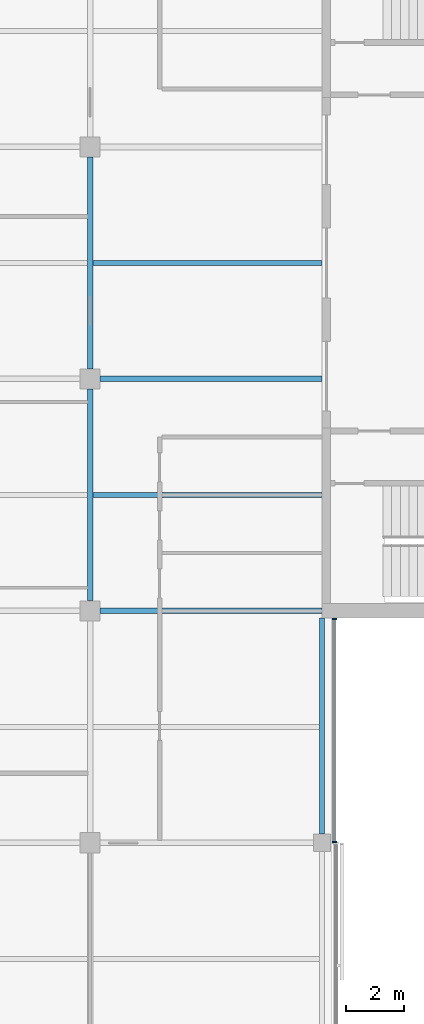
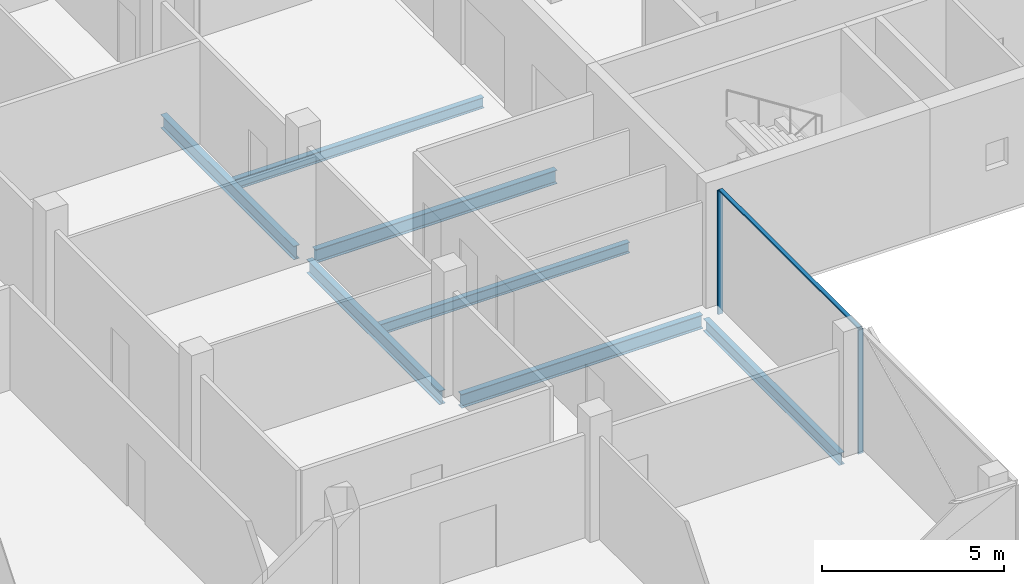
# One storey, part 4 of 15: 7 beams, 3 members, 1 element without a shape of its own.
"""IFC4 building model written with IfcOpenShell, lengths in metres."""

import ifcopenshell
import ifcopenshell.guid

model = None  # the IFC model being written
_history = None  # IfcOwnerHistory: only IFC2X3 demands one
_inside = {}  # id of a spatial element -> (the spatial element, [elements in it])
_under = {}  # id of a project, library or spatial element -> (it, [spatial elements below it])
_declared = {}  # id of a project -> (the project, [libraries it declares])
_typed = {}  # id of a type object -> (the type object, [elements of that type])
_made_of = {}  # id of a material, layer set ... -> (it, [elements and type objects made of it])


def new_model(schema):
    """Start an empty IFC model of exactly this schema.

    Asked for "IFC4X3", IfcOpenShell would pick the latest addendum, in which some entities
    have other attributes; the version numbers below select the first issue.
    IFC2X3 requires an IfcOwnerHistory on every rooted entity: one is made here for all.
    """
    global model, _history
    if schema == "IFC4X3":
        model = ifcopenshell.file(schema_version=(4, 3, 0, 0))
    else:
        model = ifcopenshell.file(schema=schema)
    _inside.clear()
    _under.clear()
    _declared.clear()
    _typed.clear()
    _made_of.clear()
    _history = None
    if model.schema == "IFC2X3":
        org = make("IfcOrganization", Name="unknown")
        user = make(
            "IfcPersonAndOrganization",
            ThePerson=make("IfcPerson", FamilyName="unknown"),
            TheOrganization=org,
        )
        app = make(
            "IfcApplication",
            ApplicationDeveloper=org,
            Version="unknown",
            ApplicationFullName="unknown",
            ApplicationIdentifier="unknown",
        )
        _history = make(
            "IfcOwnerHistory",
            OwningUser=user,
            OwningApplication=app,
            ChangeAction="ADDED",
            CreationDate=0,
        )
    return model


def make(cls, **values):
    """One entity of the class cls with the attributes given. An attribute that is None is left unset."""
    return model.create_entity(
        cls, **{name: value for name, value in values.items() if value is not None}
    )


def rooted(cls, **values):
    """An entity with a GlobalId (a new one), such as an element, a storey or a relation."""
    return make(cls, GlobalId=ifcopenshell.guid.new(), OwnerHistory=_history, **values)


def si_unit(unit_type, name, prefix=None):
    """IfcSIUnit, for example si_unit("LENGTHUNIT", "METRE", prefix="MILLI")."""
    return make("IfcSIUnit", UnitType=unit_type, Prefix=prefix, Name=name)


def assignment(units):
    """IfcUnitAssignment: the units of a project."""
    return None if units is None else make("IfcUnitAssignment", Units=units)


def point(xyz):
    """IfcCartesianPoint."""
    return None if xyz is None else make("IfcCartesianPoint", Coordinates=xyz)


def direction(xyz):
    """IfcDirection."""
    return None if xyz is None else make("IfcDirection", DirectionRatios=xyz)


def frame(location, z_axis=None, x_axis=None):
    """IfcAxis2Placement3D, a coordinate frame: its origin and axes. An axis left out is left unset."""
    return make(
        "IfcAxis2Placement3D",
        Location=point(location),
        Axis=direction(z_axis),
        RefDirection=direction(x_axis),
    )


def frame_2d(location, x_axis=None):
    """IfcAxis2Placement2D, a coordinate frame in the plane: its origin and x axis."""
    return make(
        "IfcAxis2Placement2D", Location=point(location), RefDirection=direction(x_axis)
    )


def origin():
    """The frame at (0, 0, 0) with its axes left unset."""
    return frame((0.0, 0.0, 0.0))


def origin_2d():
    """The frame at (0, 0) in the plane with its x axis left unset."""
    return frame_2d((0.0, 0.0))


def place(relative_to, where):
    """IfcLocalPlacement: puts the frame where relative to a parent placement (None: the world)."""
    return make(
        "IfcLocalPlacement", PlacementRelTo=relative_to, RelativePlacement=where
    )


def context(
    kind, dimensions, precision=None, world=None, true_north=None, identifier=None
):
    """IfcGeometricRepresentationContext, for example the 3D "Model" context."""
    return make(
        "IfcGeometricRepresentationContext",
        ContextIdentifier=identifier,
        ContextType=kind,
        CoordinateSpaceDimension=dimensions,
        Precision=precision,
        WorldCoordinateSystem=world,
        TrueNorth=true_north,
    )


def subcontext(parent, identifier, kind, view, scale=None):
    """IfcGeometricRepresentationSubContext, for example "Body" below "Model"."""
    return make(
        "IfcGeometricRepresentationSubContext",
        ContextIdentifier=identifier,
        ContextType=kind,
        ParentContext=parent,
        TargetScale=scale,
        TargetView=view,
    )


def project(units=None, contexts=None):
    """IfcProject with its units and contexts."""
    return rooted(
        "IfcProject",
        Name="project",
        RepresentationContexts=contexts,
        UnitsInContext=assignment(units),
    )


def spatial(cls, under=None, at=None, **own):
    """A site, building, storey or space (cls), placed at a placement, below another one or the project."""
    s = rooted(cls, ObjectPlacement=at, **own)
    if under is not None:
        _under.setdefault(under.id(), (under, []))[1].append(s)
    return s


def profile(cls, at=None, kind="AREA", **sizes):
    """A parametric profile (cls). Its sizes go by their IFC names, for example OverallWidth=200.0."""
    return make(cls, ProfileType=kind, Position=at, **sizes)


def rectangle(**sizes):
    """IfcRectangleProfileDef."""
    return profile("IfcRectangleProfileDef", **sizes)


def i_section(**sizes):
    """IfcIShapeProfileDef."""
    return profile("IfcIShapeProfileDef", **sizes)


def extrude(swept, where, along, depth):
    """IfcExtrudedAreaSolid: the profile swept, set in the frame where, extruded along a direction by depth."""
    return make(
        "IfcExtrudedAreaSolid",
        SweptArea=swept,
        Position=where,
        ExtrudedDirection=direction(along),
        Depth=depth,
    )


def shape(context_of_items, identifier, shape_type, items):
    """IfcShapeRepresentation: the items that make up one representation, for example the "Body"."""
    return make(
        "IfcShapeRepresentation",
        ContextOfItems=context_of_items,
        RepresentationIdentifier=identifier,
        RepresentationType=shape_type,
        Items=items,
    )


def material(Name=None, Category=None):
    """IfcMaterial."""
    return make("IfcMaterial", Name=Name, Category=Category)


def material_profile(
    of_material, cross_section, Name=None, Category=None, Priority=None
):
    """IfcMaterialProfile: a cross section and its material."""
    return make(
        "IfcMaterialProfile",
        Name=Name,
        Material=of_material,
        Profile=cross_section,
        Priority=Priority,
        Category=Category,
    )


def profile_set(profiles, Name=None, composite=None):
    """IfcMaterialProfileSet."""
    return make(
        "IfcMaterialProfileSet",
        Name=Name,
        MaterialProfiles=profiles,
        CompositeProfile=composite,
    )


def made_of(thing, what):
    """Note that an element or type object is made of a material, layer set ...; save() writes the relation."""
    if what is not None:
        _made_of.setdefault(what.id(), (what, []))[1].append(thing)
    return thing


def type_object(cls, material=None, **own):
    """A type object (cls), such as IfcWallType, which elements share."""
    return made_of(rooted(cls, **own), material)


def element(
    cls,
    number,
    at=None,
    inside=None,
    cuts=None,
    type_object=None,
    material=None,
    context=None,
    identifier="Body",
    shape_type=None,
    held_by="IfcProductDefinitionShape",
    body=None,
    shapes=None,
    **own,
):
    """One element of the class cls, such as IfcWall. Its Tag is "e" and its number.

    at: its placement. inside: the storey or other place that contains it. cuts: it is an
    opening in that element (IfcRelVoidsElement). A single representation is given by context,
    identifier, shape_type and body (its items); several are given by shapes. held_by: the class
    of the entity that holds the representations. save() writes the other relations.
    """
    e = rooted(cls, Tag="e%d" % number, ObjectPlacement=at, **own)
    if body is not None:
        shapes = [shape(context, identifier, shape_type, body)]
    if shapes is not None:
        e.Representation = make(held_by, Representations=shapes)
    if inside is not None:
        _inside.setdefault(inside.id(), (inside, []))[1].append(e)
    if cuts is not None:
        rooted(
            "IfcRelVoidsElement", RelatingBuildingElement=cuts, RelatedOpeningElement=e
        )
    if type_object is not None:
        _typed.setdefault(type_object.id(), (type_object, []))[1].append(e)
    return made_of(e, material)


def aggregate(whole, parts):
    """IfcRelAggregates: a whole, such as a stair, and the parts it consists of."""
    return rooted("IfcRelAggregates", RelatingObject=whole, RelatedObjects=parts)


def save(model, path):
    """Write the relations noted so far, then the file.

    IfcRelAggregates (storeys below a building ...), IfcRelContainedInSpatialStructure (elements
    in a storey), IfcRelDefinesByType, IfcRelAssociatesMaterial and IfcRelDeclares: one each for
    every whole, place, type object, material and project.
    """
    for whole, parts in _under.values():
        aggregate(whole, parts)
    for where, things in _inside.values():
        rooted(
            "IfcRelContainedInSpatialStructure",
            RelatedElements=things,
            RelatingStructure=where,
        )
    for kind, things in _typed.values():
        rooted("IfcRelDefinesByType", RelatedObjects=things, RelatingType=kind)
    for what, things in _made_of.values():
        rooted("IfcRelAssociatesMaterial", RelatedObjects=things, RelatingMaterial=what)
    for by, libraries in _declared.values():
        rooted("IfcRelDeclares", RelatingContext=by, RelatedDefinitions=libraries)
    model.write(path)


model = new_model("IFC4")

# Units and contexts
model_context = context("Model", 3, precision=1e-05, world=origin(), true_north=direction((0.0, 1.0)))
body_context = subcontext(model_context, "Body", "Model", "MODEL_VIEW")
ifc_project = project(units=[si_unit("LENGTHUNIT", "METRE"), si_unit("AREAUNIT", "SQUARE_METRE"), si_unit("VOLUMEUNIT", "CUBIC_METRE"), si_unit("PLANEANGLEUNIT", "RADIAN"), si_unit("MASSUNIT", "GRAM", prefix="KILO")], contexts=[model_context])

# Site, building, storey
site_placement = place(None, origin())
site = spatial("IfcSite", under=ifc_project, at=site_placement, CompositionType="ELEMENT")
building_placement = place(site_placement, origin())
building = spatial("IfcBuilding", under=site, at=building_placement, Name="Crosswind Convention Tower", CompositionType="ELEMENT")
storey_placement = place(building_placement, frame((0.0, 0.0, 266.10009765625)))
storey = spatial("IfcBuildingStorey", under=building, at=storey_placement, Name="L57", CompositionType="ELEMENT", Elevation=266.10009765625)

# Beams
ifc_material_1 = material(Name="Steel S355", Category="steel")
ifc_material_profile_1 = material_profile(ifc_material_1, i_section(OverallWidth=0.177734375, OverallDepth=0.406494140625, WebThickness=0.0078125, FlangeThickness=0.0126953125, FilletRadius=0.01025390625, at=origin_2d()), Name="UB 406x178x60")
ifc_profile_set_1 = profile_set([ifc_material_profile_1], Name="Steel S355")
beam_type_1 = type_object("IfcBeamType", Name="Edge beam UB 406x178x60", PredefinedType="SPANDREL", material=ifc_profile_set_1)
beam_placement = place(storey_placement, frame((137.0, 80.300048828125, -0.50341796875), z_axis=(0.0, 1.0, 0.0), x_axis=(-1.0, 0.0, 0.0)))
element("IfcBeam", 1, at=beam_placement, inside=storey, type_object=beam_type_1, Name="B15 L57 edge beam 12", PredefinedType="SPANDREL", context=body_context, shape_type="SweptSolid", body=[
    extrude(i_section(OverallWidth=0.177734375, OverallDepth=0.406494140625, WebThickness=0.0078125, FlangeThickness=0.0126953125, FilletRadius=0.01025390625, at=origin_2d()), origin(), (0.0, 0.0, 1.0), 7.449951171875),
])
ifc_material_profile_2 = material_profile(ifc_material_1, i_section(OverallWidth=0.18994140625, OverallDepth=0.45361328125, WebThickness=0.008544921875, FlangeThickness=0.0126953125, FilletRadius=0.01025390625, at=origin_2d()), Name="UB 457x191x67")
ifc_profile_set_2 = profile_set([ifc_material_profile_2], Name="Steel S355")
beam_type_2 = type_object("IfcBeamType", Name="Girder UB 457x191x67", PredefinedType="BEAM", material=ifc_profile_set_2)
for number, where, z_axis, x_axis, name in (
    (2, (129.0, 88.35009765625, -0.52685546875), (0.0, 1.0, 0.0), (-1.0, 0.0, 0.0), "B1 L57 girder 18"),
    (3, (129.0, 96.35009765625, -0.52685546875), (0.0, 1.0, 0.0), (-1.0, 0.0, 0.0), "B1 L57 girder 19"),
):
    element("IfcBeam", number, at=place(storey_placement, frame(where, z_axis=z_axis, x_axis=x_axis)), inside=storey, type_object=beam_type_2, Name=name, PredefinedType="BEAM", context=body_context, shape_type="SweptSolid", body=[
        extrude(i_section(OverallWidth=0.18994140625, OverallDepth=0.45361328125, WebThickness=0.008544921875, FlangeThickness=0.0126953125, FilletRadius=0.01025390625, at=origin_2d()), origin(), (0.0, 0.0, 1.0), 7.2998046875),
    ])
ifc_material_profile_3 = material_profile(ifc_material_1, i_section(OverallWidth=0.1904296875, OverallDepth=0.457275390625, WebThickness=0.009033203125, FlangeThickness=0.014404296875, FilletRadius=0.01025390625, at=origin_2d()), Name="UB 457x191x75")
ifc_profile_set_3 = profile_set([ifc_material_profile_3], Name="Steel S355")
beam_type_3 = type_object("IfcBeamType", Name="Girder at core wall UB 457x191x75", PredefinedType="BEAM", material=ifc_profile_set_3)
for number, where, z_axis, x_axis, name in (
    (4, (129.35009765625, 88.0, -0.52880859375), (1.0, 0.0, 0.0), (0.0, 1.0, 0.0), "B22 L57 girder at core wall 5"),
    (5, (129.35009765625, 96.0, -0.52880859375), (1.0, 0.0, 0.0), (0.0, 1.0, 0.0), "B22 L57 girder at core wall 6"),
):
    element("IfcBeam", number, at=place(storey_placement, frame(where, z_axis=z_axis, x_axis=x_axis)), inside=storey, type_object=beam_type_3, Name=name, PredefinedType="BEAM", context=body_context, shape_type="SweptSolid", body=[
        extrude(i_section(OverallWidth=0.1904296875, OverallDepth=0.457275390625, WebThickness=0.009033203125, FlangeThickness=0.014404296875, FilletRadius=0.01025390625, at=origin_2d()), origin(), (0.0, 0.0, 1.0), 7.64990234375),
    ])

# Curtain wall, members
ifc_material_2 = material(Name="Aluminium unitised curtain wall", Category="aluminium")
curtain_wall_type = type_object("IfcCurtainWallType", Name="CORE END SLOT WALL 160", PredefinedType="USERDEFINED", material=ifc_material_2)
curtain_wall_placement = place(storey_placement, origin())
curtain_wall = element("IfcCurtainWall", 6, at=curtain_wall_placement, inside=storey, type_object=curtain_wall_type, Name="CW6 L57 S-E.1-2 slot", ObjectType="UNITISED", PredefinedType="USERDEFINED")
ifc_material_3 = material(Name="Aluminium mullion", Category="aluminium")
ifc_material_profile_4 = material_profile(ifc_material_3, rectangle(XDim=0.159912109375, YDim=0.050048828125, at=origin_2d()), Name="AL 160X50")
ifc_profile_set_4 = profile_set([ifc_material_profile_4], Name="Aluminium mullion")
member_type_1 = type_object("IfcMemberType", Name="MULLION 50X160", PredefinedType="MULLION", material=ifc_profile_set_4)
member_1_placement = place(storey_placement, frame((137.429931640625, 80.02490234375, -0.300048828125), z_axis=(0.0, 0.0, 1.0), x_axis=(1.0, 0.0, 0.0)))
member_1 = element("IfcMember", 7, at=member_1_placement, type_object=member_type_1, Name="CW6 mullion 1", PredefinedType="MULLION", context=body_context, shape_type="SweptSolid", body=[
    extrude(rectangle(XDim=0.159912109375, YDim=0.050048828125, at=origin_2d()), origin(), (0.0, 0.0, 1.0), 4.14990234375),
])
member_2_placement = place(storey_placement, frame((137.429931640625, 87.72509765625, -0.300048828125), z_axis=(0.0, 0.0, 1.0), x_axis=(1.0, 0.0, 0.0)))
member_2 = element("IfcMember", 8, at=member_2_placement, type_object=member_type_1, Name="CW6 mullion 2", PredefinedType="MULLION", context=body_context, shape_type="SweptSolid", body=[
    extrude(rectangle(XDim=0.159912109375, YDim=0.050048828125, at=origin_2d()), origin(), (0.0, 0.0, 1.0), 4.14990234375),
])

# Beams
ifc_material_profile_5 = material_profile(ifc_material_1, i_section(OverallWidth=0.17138671875, OverallDepth=0.355712890625, WebThickness=0.00732421875, FlangeThickness=0.011474609375, FilletRadius=0.01025390625, at=origin_2d()), Name="UB 356x171x51")
ifc_profile_set_5 = profile_set([ifc_material_profile_5], Name="Steel S355")
beam_type_4 = type_object("IfcBeamType", Name="Secondary beam UB 356x171x51", PredefinedType="JOIST", material=ifc_profile_set_5)
for number, where, z_axis, x_axis, name in (
    (9, (129.094970703125, 92.0, -0.477783203125), (1.0, 0.0, 0.0), (0.0, 1.0, 0.0), "B8 L57 secondary beam 17"),
    (10, (129.094970703125, 100.0, -0.477783203125), (1.0, 0.0, 0.0), (0.0, 1.0, 0.0), "B8 L57 secondary beam 18"),
):
    element("IfcBeam", number, at=place(storey_placement, frame(where, z_axis=z_axis, x_axis=x_axis)), inside=storey, type_object=beam_type_4, Name=name, PredefinedType="JOIST", context=body_context, shape_type="SweptSolid", body=[
        extrude(i_section(OverallWidth=0.17138671875, OverallDepth=0.355712890625, WebThickness=0.00732421875, FlangeThickness=0.011474609375, FilletRadius=0.01025390625, at=origin_2d()), origin(), (0.0, 0.0, 1.0), 7.905029296875),
    ])

# Member
ifc_material_4 = material(Name="Aluminium transom", Category="aluminium")
ifc_material_profile_6 = material_profile(ifc_material_4, rectangle(XDim=0.1201171875, YDim=0.050048828125, at=origin_2d()), Name="AL 120X50")
ifc_profile_set_6 = profile_set([ifc_material_profile_6], Name="Aluminium transom")
member_type_2 = type_object("IfcMemberType", Name="TRANSOM 50X120", PredefinedType="USERDEFINED", material=ifc_profile_set_6)
member_3_placement = place(storey_placement, frame((137.429931640625, 80.050048828125, 3.875), z_axis=(0.0, 1.0, 0.0), x_axis=(-1.0, 0.0, 0.0)))
member_3 = element("IfcMember", 11, at=member_3_placement, type_object=member_type_2, Name="CW6 transom", ObjectType="TRANSOM", PredefinedType="USERDEFINED", context=body_context, shape_type="SweptSolid", body=[
    extrude(rectangle(XDim=0.1201171875, YDim=0.050048828125, at=origin_2d()), origin(), (0.0, 0.0, 1.0), 7.64990234375),
])

aggregate(curtain_wall, [member_1, member_2, member_3])

save(model, "model.ifc")
